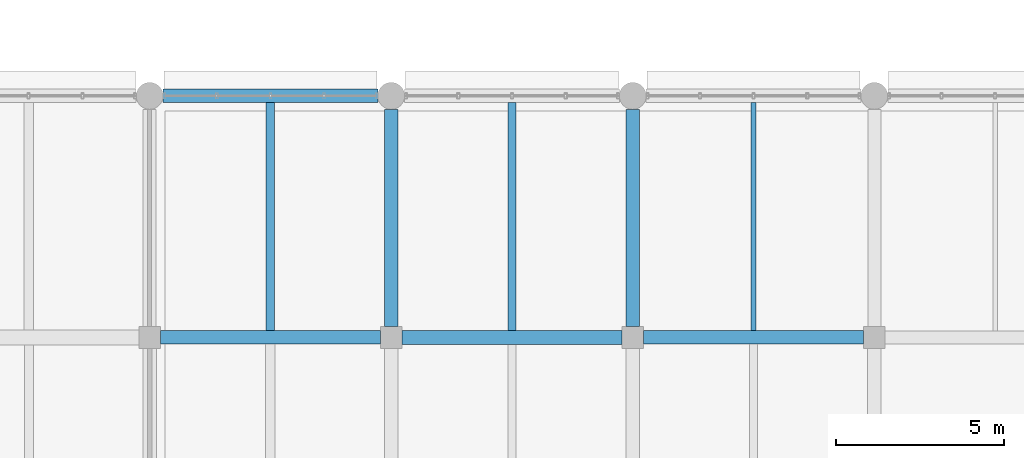
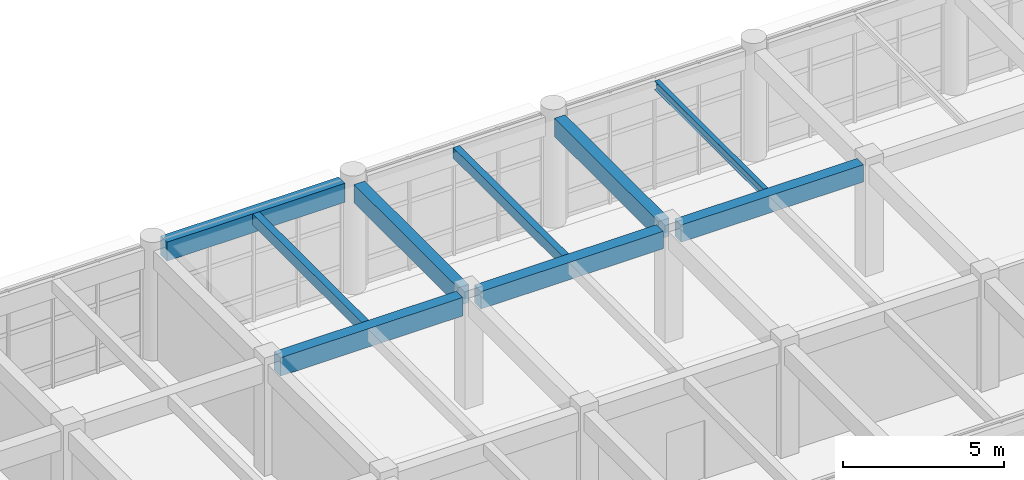
# One storey, part 55 of 171: 9 beams.
"""IFC4 building model written with IfcOpenShell, lengths in metres."""

from ifc_helpers import new_model, si_unit, direction, frame, origin, origin_2d, place, context, subcontext, project, spatial, rectangle, i_section, extrude, material, material_profile, profile_set, type_object, element, save


model = new_model("IFC4")

# Units and contexts
model_context = context("Model", 3, precision=1e-05, world=origin(), true_north=direction((0.0, 1.0)))
body_context = subcontext(model_context, "Body", "Model", "MODEL_VIEW")
ifc_project = project(units=[si_unit("LENGTHUNIT", "METRE"), si_unit("AREAUNIT", "SQUARE_METRE"), si_unit("VOLUMEUNIT", "CUBIC_METRE"), si_unit("PLANEANGLEUNIT", "RADIAN"), si_unit("MASSUNIT", "GRAM", prefix="KILO")], contexts=[model_context])

# Site, building, storey
site_placement = place(None, origin())
site = spatial("IfcSite", under=ifc_project, at=site_placement, CompositionType="ELEMENT")
building_placement = place(site_placement, origin())
building = spatial("IfcBuilding", under=site, at=building_placement, Name="Thalmaran Polytechnic", CompositionType="ELEMENT")
storey_placement = place(building_placement, frame((0.0, 0.0, 5.39990234375)))
storey = spatial("IfcBuildingStorey", under=building, at=storey_placement, Name="L01", CompositionType="ELEMENT", Elevation=5.39990234375)

# Beams
ifc_material_1 = material(Name="Concrete C40/50", Category="concrete")
ifc_material_profile_1 = material_profile(ifc_material_1, rectangle(XDim=0.39990234375, YDim=0.699951171875, at=origin_2d()), Name="RC 400x700")
ifc_profile_set_1 = profile_set([ifc_material_profile_1], Name="Concrete C40/50")
beam_type_1 = type_object("IfcBeamType", Name="BM-RC05", PredefinedType="BEAM", material=ifc_profile_set_1)
beam_1_placement = place(storey_placement, frame((29.125, 64.800048828125, 3.860107421875), z_axis=(1.0, 0.0, 0.0), x_axis=(0.0, 1.0, 0.0)))
element("IfcBeam", 1, at=beam_1_placement, inside=storey, type_object=beam_type_1, Name="Grid Beam B05 L01 X(4,9)", PredefinedType="BEAM", context=body_context, shape_type="SweptSolid", body=[
    extrude(rectangle(XDim=0.39990234375, YDim=0.699951171875, at=origin_2d()), origin(), (0.0, 0.0, 1.0), 6.550048828125),
])
ifc_material_profile_2 = material_profile(ifc_material_1, rectangle(XDim=0.39990234375, YDim=0.64990234375, at=origin_2d()), Name="RC 400x650")
ifc_profile_set_2 = profile_set([ifc_material_profile_2], Name="Concrete C40/50")
beam_type_2 = type_object("IfcBeamType", Name="BM-RC06", PredefinedType="BEAM", material=ifc_profile_set_2)
beam_2_placement = place(storey_placement, frame((43.52490234375, 64.800048828125, 3.885009765625), z_axis=(1.0, 0.0, 0.0), x_axis=(0.0, 1.0, 0.0)))
element("IfcBeam", 2, at=beam_2_placement, inside=storey, type_object=beam_type_2, Name="Grid Beam B06 L01 X(6,9)", PredefinedType="BEAM", context=body_context, shape_type="SweptSolid", body=[
    extrude(rectangle(XDim=0.39990234375, YDim=0.64990234375, at=origin_2d()), origin(), (0.0, 0.0, 1.0), 6.550048828125),
])
ifc_material_profile_3 = material_profile(ifc_material_1, rectangle(XDim=0.389892578125, YDim=0.68994140625, at=origin_2d()), Name="RC 390x690")
ifc_profile_set_3 = profile_set([ifc_material_profile_3], Name="Concrete C40/50")
beam_type_3 = type_object("IfcBeamType", Name="BM-RC09", PredefinedType="BEAM", material=ifc_profile_set_3)
for number, where, z_axis, x_axis, name in (
    (3, (36.0, 65.125, 3.864990234375), (0.0, 1.0, 0.0), (-1.0, 0.0, 0.0), "Grid Beam B09 L01 Y(5,9)"),
    (4, (43.199951171875, 65.125, 3.864990234375), (0.0, 1.0, 0.0), (-1.0, 0.0, 0.0), "Grid Beam B09 L01 Y(6,9)"),
):
    element("IfcBeam", number, at=place(storey_placement, frame(where, z_axis=z_axis, x_axis=x_axis)), inside=storey, type_object=beam_type_3, Name=name, PredefinedType="BEAM", context=body_context, shape_type="SweptSolid", body=[
        extrude(rectangle(XDim=0.389892578125, YDim=0.68994140625, at=origin_2d()), origin(), (0.0, 0.0, 1.0), 6.47509765625),
    ])
ifc_material_2 = material(Name="Steel S355", Category="steel")
ifc_material_profile_4 = material_profile(ifc_material_2, i_section(OverallWidth=0.159912109375, OverallDepth=0.330078125, WebThickness=0.007568359375, FlangeThickness=0.011474609375, at=origin_2d()), Name="IPE 330")
ifc_profile_set_4 = profile_set([ifc_material_profile_4], Name="Steel S355")
beam_type_4 = type_object("IfcBeamType", Name="BM-SJ02", PredefinedType="JOIST", material=ifc_profile_set_4)
beam_3_placement = place(storey_placement, frame((46.800048828125, 65.0, 4.045166015625), z_axis=(0.0, 1.0, 0.0), x_axis=(-1.0, 0.0, 0.0)))
element("IfcBeam", 5, at=beam_3_placement, inside=storey, type_object=beam_type_4, Name="Secondary Floor Rib SJ02 L01 (6,9)", PredefinedType="JOIST", context=body_context, shape_type="SweptSolid", body=[
    extrude(i_section(OverallWidth=0.159912109375, OverallDepth=0.330078125, WebThickness=0.007568359375, FlangeThickness=0.011474609375, at=origin_2d()), origin(), (0.0, 0.0, 1.0), 6.800048828125),
])
ifc_material_profile_5 = material_profile(ifc_material_1, rectangle(XDim=0.39990234375, YDim=0.719970703125, at=origin_2d()), Name="RC 400x720")
ifc_profile_set_5 = profile_set([ifc_material_profile_5], Name="Concrete C40/50")
beam_type_5 = type_object("IfcBeamType", Name="BM-SP01", PredefinedType="SPANDREL", material=ifc_profile_set_5)
beam_4_placement = place(storey_placement, frame((29.199951171875, 72.0, 3.85009765625), z_axis=(1.0, 0.0, 0.0), x_axis=(0.0, 1.0, 0.0)))
element("IfcBeam", 6, at=beam_4_placement, inside=storey, type_object=beam_type_5, Name="Grid Beam SP01 L01 X(4,10)", PredefinedType="SPANDREL", context=body_context, shape_type="SweptSolid", body=[
    extrude(rectangle(XDim=0.39990234375, YDim=0.719970703125, at=origin_2d()), origin(), (0.0, 0.0, 1.0), 6.400146484375),
])
ifc_material_profile_6 = material_profile(ifc_material_1, rectangle(XDim=0.419921875, YDim=0.659912109375, at=origin_2d()), Name="RC 420x660")
ifc_profile_set_6 = profile_set([ifc_material_profile_6], Name="Concrete C40/50")
beam_type_6 = type_object("IfcBeamType", Name="BM-ZB04", PredefinedType="BEAM", material=ifc_profile_set_6)
beam_5_placement = place(storey_placement, frame((36.324951171875, 64.800048828125, 3.880126953125), z_axis=(1.0, 0.0, 0.0), x_axis=(0.0, 1.0, 0.0)))
element("IfcBeam", 7, at=beam_5_placement, inside=storey, type_object=beam_type_6, Name="Grid Beam ZB04 L01 X(5,9)", PredefinedType="BEAM", context=body_context, shape_type="SweptSolid", body=[
    extrude(rectangle(XDim=0.419921875, YDim=0.659912109375, at=origin_2d()), origin(), (0.0, 0.0, 1.0), 6.550048828125),
])
ifc_material_profile_7 = material_profile(ifc_material_1, rectangle(XDim=0.25, YDim=0.419921875, at=origin_2d()), Name="RC 250x420")
ifc_profile_set_7 = profile_set([ifc_material_profile_7], Name="Concrete C40/50")
beam_type_7 = type_object("IfcBeamType", Name="BM-ZJ03", PredefinedType="JOIST", material=ifc_profile_set_7)
beam_6_placement = place(storey_placement, frame((32.39990234375, 65.0, 4.0), z_axis=(0.0, 1.0, 0.0), x_axis=(-1.0, 0.0, 0.0)))
element("IfcBeam", 8, at=beam_6_placement, inside=storey, type_object=beam_type_7, Name="Secondary Floor Rib ZJ03 L01 (4,9)", PredefinedType="JOIST", context=body_context, shape_type="SweptSolid", body=[
    extrude(rectangle(XDim=0.25, YDim=0.419921875, at=origin_2d()), origin(), (0.0, 0.0, 1.0), 6.800048828125),
])
ifc_material_profile_8 = material_profile(ifc_material_1, rectangle(XDim=0.239990234375, YDim=0.39990234375, at=origin_2d()), Name="RC 240x400")
ifc_profile_set_8 = profile_set([ifc_material_profile_8], Name="Concrete C40/50")
beam_type_8 = type_object("IfcBeamType", Name="BM-ZJ04", PredefinedType="JOIST", material=ifc_profile_set_8)
beam_7_placement = place(storey_placement, frame((39.60009765625, 65.010009765625, 4.010009765625), z_axis=(0.0, 1.0, 0.0), x_axis=(-1.0, 0.0, 0.0)))
element("IfcBeam", 9, at=beam_7_placement, inside=storey, type_object=beam_type_8, Name="Secondary Floor Rib ZJ04 L01 (5,9)", PredefinedType="JOIST", context=body_context, shape_type="SweptSolid", body=[
    extrude(rectangle(XDim=0.239990234375, YDim=0.39990234375, at=origin_2d()), origin(), (0.0, 0.0, 1.0), 6.7900390625),
])

save(model, "model.ifc")
